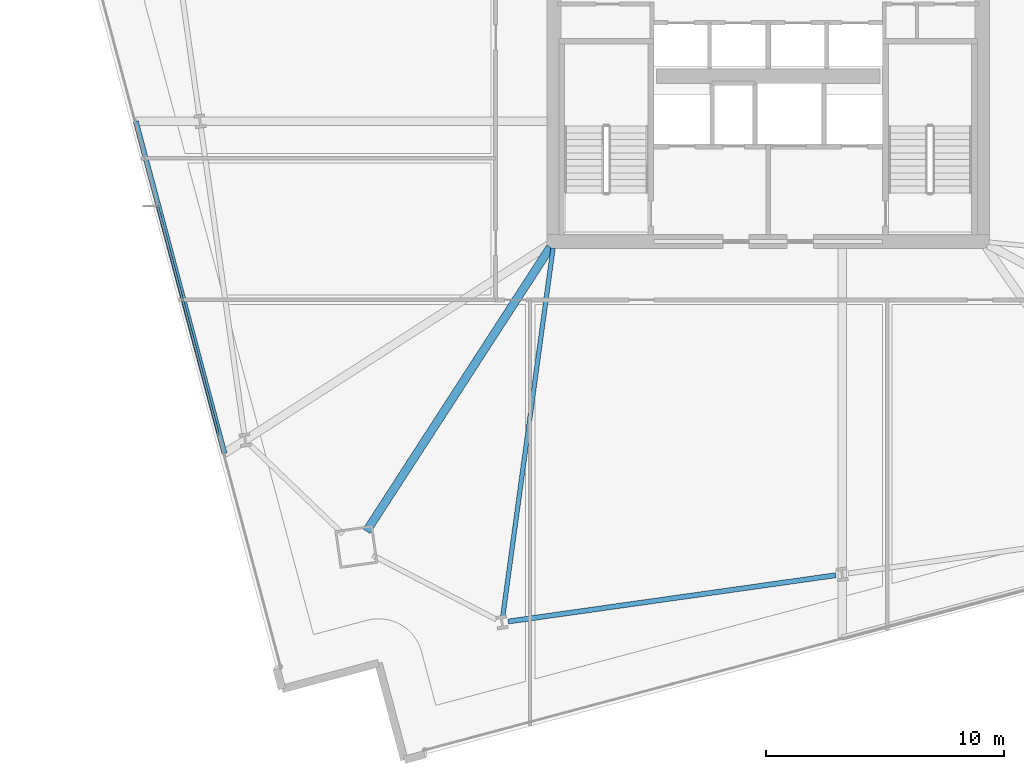
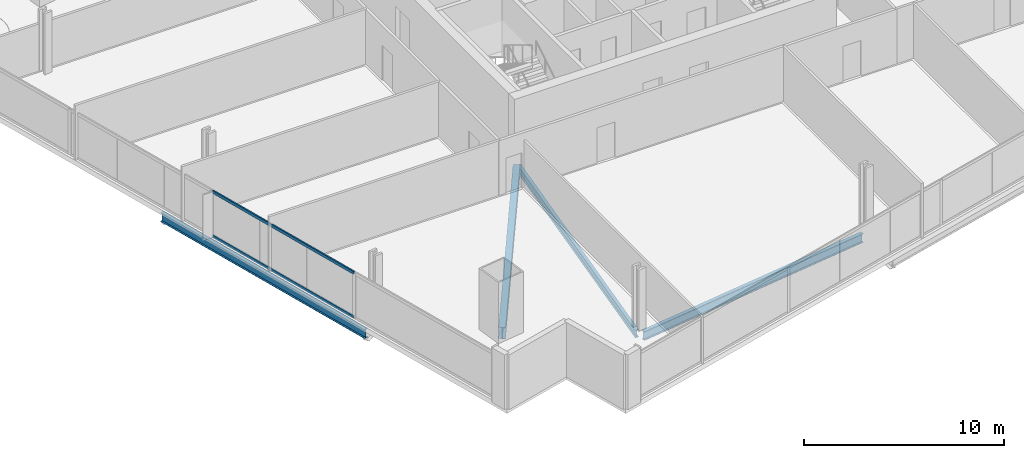
# One storey, part 4 of 33: 4 beams, 2 members, 1 element without a shape of its own.
"""IFC4 building model written with IfcOpenShell, lengths in metres."""

from ifc_helpers import new_model, si_unit, direction, frame, origin, origin_2d, place, context, subcontext, project, spatial, hollow_rectangle, i_section, extrude, material, material_profile, profile_set, type_object, element, aggregate, save


model = new_model("IFC4")

# Units and contexts
model_context = context("Model", 3, precision=1e-05, world=origin(), true_north=direction((0.0, 1.0)))
body_context = subcontext(model_context, "Body", "Model", "MODEL_VIEW")
ifc_project = project(units=[si_unit("LENGTHUNIT", "METRE"), si_unit("AREAUNIT", "SQUARE_METRE"), si_unit("VOLUMEUNIT", "CUBIC_METRE"), si_unit("PLANEANGLEUNIT", "RADIAN"), si_unit("MASSUNIT", "GRAM", prefix="KILO")], contexts=[model_context])

# Site, building, storey
site_placement = place(None, origin())
site = spatial("IfcSite", under=ifc_project, at=site_placement, CompositionType="ELEMENT")
building_placement = place(site_placement, origin())
building = spatial("IfcBuilding", under=site, at=building_placement, Name="Haldenkirk Collegiate Tower", CompositionType="ELEMENT")
storey_placement = place(building_placement, frame((0.0, 0.0, 77.699951171875)))
storey = spatial("IfcBuildingStorey", under=building, at=storey_placement, Name="L18", CompositionType="ELEMENT", Elevation=77.699951171875)

# Beams
ifc_material_1 = material(Name="Steel ASTM A992 Grade 50", Category="steel")
ifc_material_profile_1 = material_profile(ifc_material_1, i_section(OverallWidth=0.35498046875, OverallDepth=0.696044921875, WebThickness=0.015380859375, FlangeThickness=0.02490234375, at=origin_2d()), Name="W27X146")
ifc_profile_set_1 = profile_set([ifc_material_profile_1], Name="Steel ASTM A992 Grade 50")
beam_type_1 = type_object("IfcBeamType", Name="BM-GIRDER-W27X146", PredefinedType="BEAM", material=ifc_profile_set_1)
beam_1_placement = place(storey_placement, frame((19.1201171875, 5.826416015625, -0.657958984375), z_axis=(0.54339434448, 0.839477567531, 0.0), x_axis=(-0.839477567531, 0.54339434448, 0.0)))
element("IfcBeam", 1, at=beam_1_placement, inside=storey, type_object=beam_type_1, Name="L18 primary floor girder 01", PredefinedType="BEAM", context=body_context, shape_type="SweptSolid", body=[
    extrude(i_section(OverallWidth=0.35498046875, OverallDepth=0.696044921875, WebThickness=0.015380859375, FlangeThickness=0.02490234375, at=origin_2d()), origin(), (0.0, 0.0, 1.0), 14.221435546875),
])
ifc_material_profile_2 = material_profile(ifc_material_1, i_section(OverallWidth=0.19189453125, OverallDepth=0.462890625, WebThickness=0.010498046875, FlangeThickness=0.017578125, at=origin_2d()), Name="W18X60")
ifc_profile_set_2 = profile_set([ifc_material_profile_2], Name="Steel ASTM A992 Grade 50")
beam_type_2 = type_object("IfcBeamType", Name="BM-JOIST-W18X60", PredefinedType="JOIST", material=ifc_profile_set_2)
beam_2_placement = place(storey_placement, frame((24.850830078125, 2.25927734375, -0.54150390625), z_axis=(0.135282136316, 0.99080711725, 0.0), x_axis=(-0.99080711725, 0.135282136316, 0.0)))
element("IfcBeam", 2, at=beam_2_placement, inside=storey, type_object=beam_type_2, Name="L18 composite floor joist 05", PredefinedType="JOIST", context=body_context, shape_type="SweptSolid", body=[
    extrude(i_section(OverallWidth=0.19189453125, OverallDepth=0.462890625, WebThickness=0.010498046875, FlangeThickness=0.017578125, at=origin_2d()), origin(), (0.0, 0.0, 1.0), 15.60693359375),
])
ifc_material_profile_3 = material_profile(ifc_material_1, i_section(OverallWidth=0.2119140625, OverallDepth=0.5439453125, WebThickness=0.01318359375, FlangeThickness=0.021240234375, at=origin_2d()), Name="W21X83")
ifc_profile_set_3 = profile_set([ifc_material_profile_3], Name="Steel ASTM A992 Grade 50")
beam_type_3 = type_object("IfcBeamType", Name="BM-SPANDREL-W21X83", PredefinedType="SPANDREL", material=ifc_profile_set_3)
beam_3_placement = place(storey_placement, frame((25.076904296875, 2.0341796875, -0.58203125), z_axis=(0.990146197746, 0.14003752029, 0.0), x_axis=(-0.14003752029, 0.990146197746, 0.0)))
element("IfcBeam", 3, at=beam_3_placement, inside=storey, type_object=beam_type_3, Name="L18 perimeter spandrel beam 02", PredefinedType="SPANDREL", context=body_context, shape_type="SweptSolid", body=[
    extrude(i_section(OverallWidth=0.2119140625, OverallDepth=0.5439453125, WebThickness=0.01318359375, FlangeThickness=0.021240234375, at=origin_2d()), origin(), (0.0, 0.0, 1.0), 13.906982421875),
])
beam_4_placement = place(storey_placement, frame((9.430908203125, 23.052978515625, -0.58203125), z_axis=(0.257982513826, -0.966149586017, 0.0), x_axis=(0.966149586017, 0.257982513826, 0.0)))
element("IfcBeam", 4, at=beam_4_placement, inside=storey, type_object=beam_type_3, Name="L18 outer facade edge beam 4", PredefinedType="SPANDREL", context=body_context, shape_type="SweptSolid", body=[
    extrude(i_section(OverallWidth=0.2119140625, OverallDepth=0.5439453125, WebThickness=0.01318359375, FlangeThickness=0.021240234375, at=origin_2d()), origin(), (0.0, 0.0, 1.0), 14.441162109375),
])

# Curtain wall, members
ifc_material_2 = material(Name="Anodised architectural bronze aluminium", Category="aluminium")
curtain_wall_type = type_object("IfcCurtainWallType", Name="CW-SYS1-CONVEX-LOW", PredefinedType="USERDEFINED", material=ifc_material_2)
curtain_wall_placement = place(storey_placement, origin())
curtain_wall = element("IfcCurtainWall", 5, at=curtain_wall_placement, inside=storey, type_object=curtain_wall_type, Name="L18 Lower tower convex bronze-framed unitised curtain wall", ObjectType="UNITISED CURTAIN WALL", PredefinedType="USERDEFINED")
ifc_material_profile_4 = material_profile(ifc_material_2, hollow_rectangle(XDim=0.080078125, YDim=0.179931640625, WallThickness=0.0048828125, at=origin_2d()), Name="CW-TRN-1A")
ifc_profile_set_4 = profile_set([ifc_material_profile_4], Name="Anodised architectural bronze aluminium")
member_type = type_object("IfcMemberType", Name="CW-TRN-1A", PredefinedType="USERDEFINED", material=ifc_profile_set_4)
member_1_placement = place(storey_placement, frame((12.90673828125, 9.880615234375, 0.0400390625), z_axis=(-0.257980579619, 0.966150102489, 0.0), x_axis=(-0.966150102489, -0.257980579619, 0.0)))
member_1 = element("IfcMember", 6, at=member_1_placement, type_object=member_type, Name="CW-1A transom 2.1", ObjectType="TRANSOM", PredefinedType="USERDEFINED", context=body_context, shape_type="SweptSolid", body=[
    extrude(hollow_rectangle(XDim=0.080078125, YDim=0.179931640625, WallThickness=0.0048828125, at=origin_2d()), origin(), (0.0, 0.0, 1.0), 9.98876953125),
])
member_2_placement = place(storey_placement, frame((12.90673828125, 9.880615234375, 2.7509765625), z_axis=(-0.257980579619, 0.966150102489, 0.0), x_axis=(-0.966150102489, -0.257980579619, 0.0)))
member_2 = element("IfcMember", 7, at=member_2_placement, type_object=member_type, Name="CW-1A transom 2.2", ObjectType="TRANSOM", PredefinedType="USERDEFINED", context=body_context, shape_type="SweptSolid", body=[
    extrude(hollow_rectangle(XDim=0.080078125, YDim=0.179931640625, WallThickness=0.0048828125, at=origin_2d()), origin(), (0.0, 0.0, 1.0), 9.98876953125),
])
aggregate(curtain_wall, [member_1, member_2])

save(model, "model.ifc")
